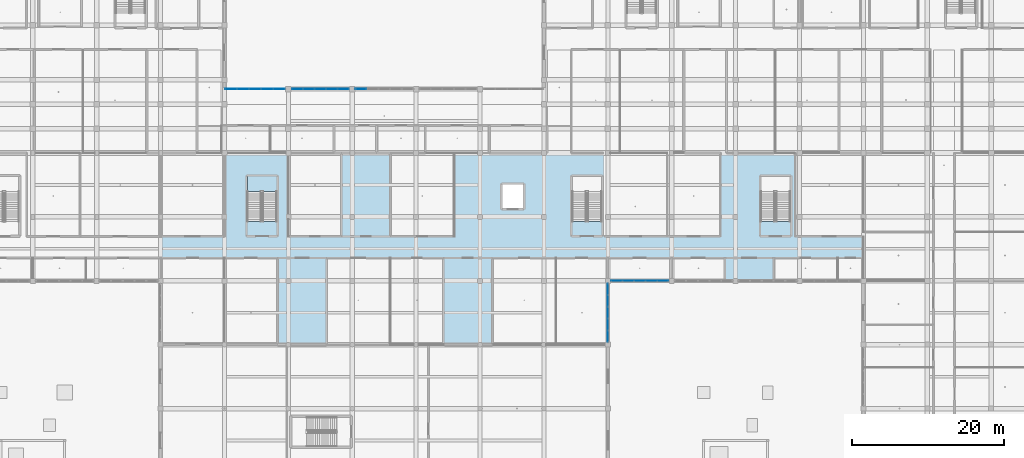
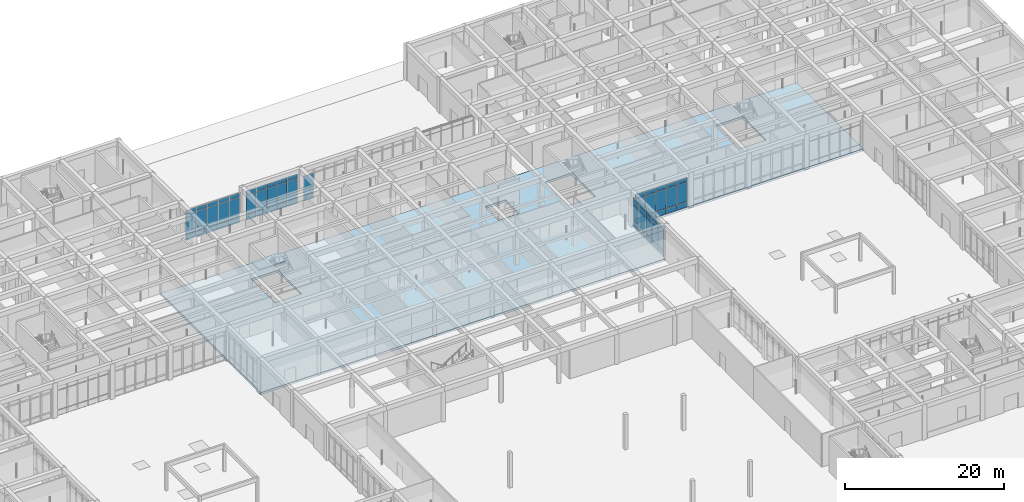
# One storey, part 53 of 167: 62 plates, 2 slabs, 6 elements without a shape of their own.
"""IFC4 building model written with IfcOpenShell, lengths in metres."""

from ifc_helpers import new_model, si_unit, direction, frame, origin, origin_2d, place, context, subcontext, project, spatial, polyline, rectangle, outline, extrude, material, layer, layer_set, type_object, element, aggregate, save


model = new_model("IFC4")

# Units and contexts
model_context = context("Model", 3, precision=1e-05, world=origin(), true_north=direction((0.0, 1.0)))
body_context = subcontext(model_context, "Body", "Model", "MODEL_VIEW")
ifc_project = project(units=[si_unit("LENGTHUNIT", "METRE"), si_unit("AREAUNIT", "SQUARE_METRE"), si_unit("VOLUMEUNIT", "CUBIC_METRE"), si_unit("PLANEANGLEUNIT", "RADIAN"), si_unit("MASSUNIT", "GRAM", prefix="KILO")], contexts=[model_context])

# Site, building, storey
site_placement = place(None, origin())
site = spatial("IfcSite", under=ifc_project, at=site_placement, CompositionType="ELEMENT")
building_placement = place(site_placement, origin())
building = spatial("IfcBuilding", under=site, at=building_placement, Name="Varncliffe General Hospital", CompositionType="ELEMENT")
storey_placement = place(building_placement, origin())
storey = spatial("IfcBuildingStorey", under=building, at=storey_placement, Name="L00", CompositionType="ELEMENT", Elevation=0.0)

# Curtain wall, plates
ifc_material_1 = material(Name="Triple low-E argon insulated vision glazing", Category="glass")
curtain_wall_type_1 = type_object("IfcCurtainWallType", Name="Unitised Glazed Curtain Wall CW51 (7704x4640)", PredefinedType="USERDEFINED", material=ifc_material_1)
curtain_wall_1_placement = place(storey_placement, origin())
curtain_wall_1 = element("IfcCurtainWall", 1, at=curtain_wall_1_placement, inside=storey, type_object=curtain_wall_type_1, Name="L00 Glazed Curtain Wall CW51-3", ObjectType="GLAZED CURTAIN WALL", PredefinedType="USERDEFINED")
ifc_layer_1 = layer(ifc_material_1, 0.0439453125)
ifc_layer_set_1 = layer_set([ifc_layer_1], Name="Triple low-E argon insulated vision glazing")
plate_type_1 = type_object("IfcPlateType", Name="Curtain Wall Glazing Panel CP12 (44mm)", PredefinedType="CURTAIN_PANEL", material=ifc_layer_set_1)
plate_1_placement = place(storey_placement, frame((85.13720703125, 108.0, 0.06494140625), z_axis=(0.0, 0.0, 1.0), x_axis=(1.0, 0.0, 0.0)))
plate_1 = element("IfcPlate", 2, at=plate_1_placement, type_object=plate_type_1, Name="CW51 panel 1.1", PredefinedType="CURTAIN_PANEL", context=body_context, shape_type="SweptSolid", body=[
    extrude(rectangle(XDim=1.42822265625, YDim=0.0439453125, at=origin_2d()), origin(), (0.0, 0.0, 1.0), 0.802490234375),
])
plate_2_placement = place(storey_placement, frame((85.13720703125, 108.0, 0.932373046875), z_axis=(0.0, 0.0, 1.0), x_axis=(1.0, 0.0, 0.0)))
plate_2 = element("IfcPlate", 3, at=plate_2_placement, type_object=plate_type_1, Name="CW51 panel 1.2", PredefinedType="CURTAIN_PANEL", context=body_context, shape_type="SweptSolid", body=[
    extrude(rectangle(XDim=1.42822265625, YDim=0.0439453125, at=origin_2d()), origin(), (0.0, 0.0, 1.0), 2.97509765625),
])
aggregate(curtain_wall_1, [plate_1, plate_2])

curtain_wall_type_2 = type_object("IfcCurtainWallType", Name="Unitised Glazed Curtain Wall CW26 (7594x4640)", PredefinedType="USERDEFINED", material=ifc_material_1)
curtain_wall_2_placement = place(storey_placement, origin())
curtain_wall_2 = element("IfcCurtainWall", 4, at=curtain_wall_2_placement, inside=storey, type_object=curtain_wall_type_2, Name="L00 Glazed Curtain Wall CW26-35", ObjectType="GLAZED CURTAIN WALL", PredefinedType="USERDEFINED")
plate_3_placement = place(storey_placement, frame((124.8212890625, 82.800048828125, 0.06005859375), z_axis=(0.0, 0.0, 1.0), x_axis=(-1.0, 0.0, 0.0)))
plate_3 = element("IfcPlate", 5, at=plate_3_placement, type_object=plate_type_1, Name="CW26 panel 1.1", PredefinedType="CURTAIN_PANEL", context=body_context, shape_type="SweptSolid", body=[
    extrude(rectangle(XDim=1.42138671875, YDim=0.0439453125, at=origin_2d()), origin(), (0.0, 0.0, 1.0), 0.81005859375),
])
plate_4_placement = place(storey_placement, frame((124.8212890625, 82.800048828125, 0.929931640625), z_axis=(0.0, 0.0, 1.0), x_axis=(-1.0, 0.0, 0.0)))
plate_4 = element("IfcPlate", 6, at=plate_4_placement, type_object=plate_type_1, Name="CW26 panel 1.2", PredefinedType="CURTAIN_PANEL", context=body_context, shape_type="SweptSolid", body=[
    extrude(rectangle(XDim=1.42138671875, YDim=0.0439453125, at=origin_2d()), origin(), (0.0, 0.0, 1.0), 2.97998046875),
])
plate_5_placement = place(storey_placement, frame((124.8212890625, 82.800048828125, 3.9697265625), z_axis=(0.0, 0.0, 1.0), x_axis=(-1.0, 0.0, 0.0)))
plate_5 = element("IfcPlate", 7, at=plate_5_placement, type_object=plate_type_1, Name="CW26 panel 1.3", PredefinedType="CURTAIN_PANEL", context=body_context, shape_type="SweptSolid", body=[
    extrude(rectangle(XDim=1.42138671875, YDim=0.0439453125, at=origin_2d()), origin(), (0.0, 0.0, 1.0), 0.610107421875),
])
plate_6_placement = place(storey_placement, frame((123.31884765625, 82.800048828125, 0.06005859375), z_axis=(0.0, 0.0, 1.0), x_axis=(-1.0, 0.0, 0.0)))
plate_6 = element("IfcPlate", 8, at=plate_6_placement, type_object=plate_type_1, Name="CW26 panel 2.1", PredefinedType="CURTAIN_PANEL", context=body_context, shape_type="SweptSolid", body=[
    extrude(rectangle(XDim=1.453857421875, YDim=0.0439453125, at=origin_2d()), origin(), (0.0, 0.0, 1.0), 0.81005859375),
])
plate_7_placement = place(storey_placement, frame((123.31884765625, 82.800048828125, 0.929931640625), z_axis=(0.0, 0.0, 1.0), x_axis=(-1.0, 0.0, 0.0)))
plate_7 = element("IfcPlate", 9, at=plate_7_placement, type_object=plate_type_1, Name="CW26 panel 2.2", PredefinedType="CURTAIN_PANEL", context=body_context, shape_type="SweptSolid", body=[
    extrude(rectangle(XDim=1.453857421875, YDim=0.0439453125, at=origin_2d()), origin(), (0.0, 0.0, 1.0), 2.97998046875),
])
plate_8_placement = place(storey_placement, frame((123.31884765625, 82.800048828125, 3.9697265625), z_axis=(0.0, 0.0, 1.0), x_axis=(-1.0, 0.0, 0.0)))
plate_8 = element("IfcPlate", 10, at=plate_8_placement, type_object=plate_type_1, Name="CW26 panel 2.3", PredefinedType="CURTAIN_PANEL", context=body_context, shape_type="SweptSolid", body=[
    extrude(rectangle(XDim=1.453857421875, YDim=0.0439453125, at=origin_2d()), origin(), (0.0, 0.0, 1.0), 0.610107421875),
])
plate_9_placement = place(storey_placement, frame((121.800048828125, 82.800048828125, 0.06005859375), z_axis=(0.0, 0.0, 1.0), x_axis=(-1.0, 0.0, 0.0)))
plate_9 = element("IfcPlate", 11, at=plate_9_placement, type_object=plate_type_1, Name="CW26 panel 3.1", PredefinedType="CURTAIN_PANEL", context=body_context, shape_type="SweptSolid", body=[
    extrude(rectangle(XDim=1.453857421875, YDim=0.0439453125, at=origin_2d()), origin(), (0.0, 0.0, 1.0), 0.81005859375),
])
plate_10_placement = place(storey_placement, frame((121.800048828125, 82.800048828125, 0.929931640625), z_axis=(0.0, 0.0, 1.0), x_axis=(-1.0, 0.0, 0.0)))
plate_10 = element("IfcPlate", 12, at=plate_10_placement, type_object=plate_type_1, Name="CW26 panel 3.2", PredefinedType="CURTAIN_PANEL", context=body_context, shape_type="SweptSolid", body=[
    extrude(rectangle(XDim=1.453857421875, YDim=0.0439453125, at=origin_2d()), origin(), (0.0, 0.0, 1.0), 2.97998046875),
])
plate_11_placement = place(storey_placement, frame((121.800048828125, 82.800048828125, 3.9697265625), z_axis=(0.0, 0.0, 1.0), x_axis=(-1.0, 0.0, 0.0)))
plate_11 = element("IfcPlate", 13, at=plate_11_placement, type_object=plate_type_1, Name="CW26 panel 3.3", PredefinedType="CURTAIN_PANEL", context=body_context, shape_type="SweptSolid", body=[
    extrude(rectangle(XDim=1.453857421875, YDim=0.0439453125, at=origin_2d()), origin(), (0.0, 0.0, 1.0), 0.610107421875),
])
plate_12_placement = place(storey_placement, frame((120.28125, 82.800048828125, 0.06005859375), z_axis=(0.0, 0.0, 1.0), x_axis=(-1.0, 0.0, 0.0)))
plate_12 = element("IfcPlate", 14, at=plate_12_placement, type_object=plate_type_1, Name="CW26 panel 4.1", PredefinedType="CURTAIN_PANEL", context=body_context, shape_type="SweptSolid", body=[
    extrude(rectangle(XDim=1.453857421875, YDim=0.0439453125, at=origin_2d()), origin(), (0.0, 0.0, 1.0), 0.81005859375),
])
plate_13_placement = place(storey_placement, frame((120.28125, 82.800048828125, 0.929931640625), z_axis=(0.0, 0.0, 1.0), x_axis=(-1.0, 0.0, 0.0)))
plate_13 = element("IfcPlate", 15, at=plate_13_placement, type_object=plate_type_1, Name="CW26 panel 4.2", PredefinedType="CURTAIN_PANEL", context=body_context, shape_type="SweptSolid", body=[
    extrude(rectangle(XDim=1.453857421875, YDim=0.0439453125, at=origin_2d()), origin(), (0.0, 0.0, 1.0), 2.97998046875),
])
plate_14_placement = place(storey_placement, frame((120.28125, 82.800048828125, 3.9697265625), z_axis=(0.0, 0.0, 1.0), x_axis=(-1.0, 0.0, 0.0)))
plate_14 = element("IfcPlate", 16, at=plate_14_placement, type_object=plate_type_1, Name="CW26 panel 4.3", PredefinedType="CURTAIN_PANEL", context=body_context, shape_type="SweptSolid", body=[
    extrude(rectangle(XDim=1.453857421875, YDim=0.0439453125, at=origin_2d()), origin(), (0.0, 0.0, 1.0), 0.610107421875),
])
plate_15_placement = place(storey_placement, frame((118.778564453125, 82.800048828125, 0.06005859375), z_axis=(0.0, 0.0, 1.0), x_axis=(-1.0, 0.0, 0.0)))
plate_15 = element("IfcPlate", 17, at=plate_15_placement, type_object=plate_type_1, Name="CW26 panel 5.1", PredefinedType="CURTAIN_PANEL", context=body_context, shape_type="SweptSolid", body=[
    extrude(rectangle(XDim=1.42138671875, YDim=0.0439453125, at=origin_2d()), origin(), (0.0, 0.0, 1.0), 0.81005859375),
])
plate_16_placement = place(storey_placement, frame((118.778564453125, 82.800048828125, 0.929931640625), z_axis=(0.0, 0.0, 1.0), x_axis=(-1.0, 0.0, 0.0)))
plate_16 = element("IfcPlate", 18, at=plate_16_placement, type_object=plate_type_1, Name="CW26 panel 5.2", PredefinedType="CURTAIN_PANEL", context=body_context, shape_type="SweptSolid", body=[
    extrude(rectangle(XDim=1.42138671875, YDim=0.0439453125, at=origin_2d()), origin(), (0.0, 0.0, 1.0), 2.97998046875),
])
plate_17_placement = place(storey_placement, frame((118.778564453125, 82.800048828125, 3.9697265625), z_axis=(0.0, 0.0, 1.0), x_axis=(-1.0, 0.0, 0.0)))
plate_17 = element("IfcPlate", 19, at=plate_17_placement, type_object=plate_type_1, Name="CW26 panel 5.3", PredefinedType="CURTAIN_PANEL", context=body_context, shape_type="SweptSolid", body=[
    extrude(rectangle(XDim=1.42138671875, YDim=0.0439453125, at=origin_2d()), origin(), (0.0, 0.0, 1.0), 0.610107421875),
])
aggregate(curtain_wall_2, [plate_3, plate_4, plate_5, plate_6, plate_7, plate_8, plate_9, plate_10, plate_11, plate_12, plate_13, plate_14, plate_15, plate_16, plate_17])

curtain_wall_type_3 = type_object("IfcCurtainWallType", Name="Unitised Glazed Curtain Wall CW47 (7544x4640)", PredefinedType="USERDEFINED", material=ifc_material_1)
curtain_wall_3_placement = place(storey_placement, origin())
curtain_wall_3 = element("IfcCurtainWall", 20, at=curtain_wall_3_placement, inside=storey, type_object=curtain_wall_type_3, Name="L00 Glazed Curtain Wall CW47-2", ObjectType="GLAZED CURTAIN WALL", PredefinedType="USERDEFINED")
ifc_layer_2 = layer(ifc_material_1, 0.035888671875)
ifc_layer_set_2 = layer_set([ifc_layer_2], Name="Triple low-E argon insulated vision glazing")
plate_type_2 = type_object("IfcPlateType", Name="Curtain Wall Glazing Panel CP27 (36mm)", PredefinedType="CURTAIN_PANEL", material=ifc_layer_set_2)
plate_18_placement = place(storey_placement, frame((76.798583984375, 108.0, 0.06005859375), z_axis=(0.0, 0.0, 1.0), x_axis=(1.0, 0.0, 0.0)))
plate_18 = element("IfcPlate", 21, at=plate_18_placement, type_object=plate_type_2, Name="CW47 panel 1.1", PredefinedType="CURTAIN_PANEL", context=body_context, shape_type="SweptSolid", body=[
    extrude(rectangle(XDim=1.411376953125, YDim=0.035888671875, at=origin_2d()), origin(), (0.0, 0.0, 1.0), 0.81005859375),
])
plate_19_placement = place(storey_placement, frame((76.798583984375, 108.0, 0.929931640625), z_axis=(0.0, 0.0, 1.0), x_axis=(1.0, 0.0, 0.0)))
plate_19 = element("IfcPlate", 22, at=plate_19_placement, type_object=plate_type_2, Name="CW47 panel 1.2", PredefinedType="CURTAIN_PANEL", context=body_context, shape_type="SweptSolid", body=[
    extrude(rectangle(XDim=1.411376953125, YDim=0.035888671875, at=origin_2d()), origin(), (0.0, 0.0, 1.0), 2.97998046875),
])
plate_20_placement = place(storey_placement, frame((76.798583984375, 108.0, 3.9697265625), z_axis=(0.0, 0.0, 1.0), x_axis=(1.0, 0.0, 0.0)))
plate_20 = element("IfcPlate", 23, at=plate_20_placement, type_object=plate_type_2, Name="CW47 panel 1.3", PredefinedType="CURTAIN_PANEL", context=body_context, shape_type="SweptSolid", body=[
    extrude(rectangle(XDim=1.411376953125, YDim=0.035888671875, at=origin_2d()), origin(), (0.0, 0.0, 1.0), 0.610107421875),
])
plate_21_placement = place(storey_placement, frame((78.291259765625, 108.0, 0.06005859375), z_axis=(0.0, 0.0, 1.0), x_axis=(1.0, 0.0, 0.0)))
plate_21 = element("IfcPlate", 24, at=plate_21_placement, type_object=plate_type_2, Name="CW47 panel 2.1", PredefinedType="CURTAIN_PANEL", context=body_context, shape_type="SweptSolid", body=[
    extrude(rectangle(XDim=1.44384765625, YDim=0.035888671875, at=origin_2d()), origin(), (0.0, 0.0, 1.0), 0.81005859375),
])
plate_22_placement = place(storey_placement, frame((78.291259765625, 108.0, 0.929931640625), z_axis=(0.0, 0.0, 1.0), x_axis=(1.0, 0.0, 0.0)))
plate_22 = element("IfcPlate", 25, at=plate_22_placement, type_object=plate_type_2, Name="CW47 panel 2.2", PredefinedType="CURTAIN_PANEL", context=body_context, shape_type="SweptSolid", body=[
    extrude(rectangle(XDim=1.44384765625, YDim=0.035888671875, at=origin_2d()), origin(), (0.0, 0.0, 1.0), 2.97998046875),
])
plate_23_placement = place(storey_placement, frame((78.291259765625, 108.0, 3.9697265625), z_axis=(0.0, 0.0, 1.0), x_axis=(1.0, 0.0, 0.0)))
plate_23 = element("IfcPlate", 26, at=plate_23_placement, type_object=plate_type_2, Name="CW47 panel 2.3", PredefinedType="CURTAIN_PANEL", context=body_context, shape_type="SweptSolid", body=[
    extrude(rectangle(XDim=1.44384765625, YDim=0.035888671875, at=origin_2d()), origin(), (0.0, 0.0, 1.0), 0.610107421875),
])
plate_24_placement = place(storey_placement, frame((79.800048828125, 108.0, 0.06005859375), z_axis=(0.0, 0.0, 1.0), x_axis=(1.0, 0.0, 0.0)))
plate_24 = element("IfcPlate", 27, at=plate_24_placement, type_object=plate_type_2, Name="CW47 panel 3.1", PredefinedType="CURTAIN_PANEL", context=body_context, shape_type="SweptSolid", body=[
    extrude(rectangle(XDim=1.44384765625, YDim=0.035888671875, at=origin_2d()), origin(), (0.0, 0.0, 1.0), 0.81005859375),
])
plate_25_placement = place(storey_placement, frame((79.800048828125, 108.0, 0.929931640625), z_axis=(0.0, 0.0, 1.0), x_axis=(1.0, 0.0, 0.0)))
plate_25 = element("IfcPlate", 28, at=plate_25_placement, type_object=plate_type_2, Name="CW47 panel 3.2", PredefinedType="CURTAIN_PANEL", context=body_context, shape_type="SweptSolid", body=[
    extrude(rectangle(XDim=1.44384765625, YDim=0.035888671875, at=origin_2d()), origin(), (0.0, 0.0, 1.0), 2.97998046875),
])
plate_26_placement = place(storey_placement, frame((79.800048828125, 108.0, 3.9697265625), z_axis=(0.0, 0.0, 1.0), x_axis=(1.0, 0.0, 0.0)))
plate_26 = element("IfcPlate", 29, at=plate_26_placement, type_object=plate_type_2, Name="CW47 panel 3.3", PredefinedType="CURTAIN_PANEL", context=body_context, shape_type="SweptSolid", body=[
    extrude(rectangle(XDim=1.44384765625, YDim=0.035888671875, at=origin_2d()), origin(), (0.0, 0.0, 1.0), 0.610107421875),
])
plate_27_placement = place(storey_placement, frame((81.308837890625, 108.0, 0.06005859375), z_axis=(0.0, 0.0, 1.0), x_axis=(1.0, 0.0, 0.0)))
plate_27 = element("IfcPlate", 30, at=plate_27_placement, type_object=plate_type_2, Name="CW47 panel 4.1", PredefinedType="CURTAIN_PANEL", context=body_context, shape_type="SweptSolid", body=[
    extrude(rectangle(XDim=1.44384765625, YDim=0.035888671875, at=origin_2d()), origin(), (0.0, 0.0, 1.0), 0.81005859375),
])
plate_28_placement = place(storey_placement, frame((81.308837890625, 108.0, 0.929931640625), z_axis=(0.0, 0.0, 1.0), x_axis=(1.0, 0.0, 0.0)))
plate_28 = element("IfcPlate", 31, at=plate_28_placement, type_object=plate_type_2, Name="CW47 panel 4.2", PredefinedType="CURTAIN_PANEL", context=body_context, shape_type="SweptSolid", body=[
    extrude(rectangle(XDim=1.44384765625, YDim=0.035888671875, at=origin_2d()), origin(), (0.0, 0.0, 1.0), 2.97998046875),
])
plate_29_placement = place(storey_placement, frame((81.308837890625, 108.0, 3.9697265625), z_axis=(0.0, 0.0, 1.0), x_axis=(1.0, 0.0, 0.0)))
plate_29 = element("IfcPlate", 32, at=plate_29_placement, type_object=plate_type_2, Name="CW47 panel 4.3", PredefinedType="CURTAIN_PANEL", context=body_context, shape_type="SweptSolid", body=[
    extrude(rectangle(XDim=1.44384765625, YDim=0.035888671875, at=origin_2d()), origin(), (0.0, 0.0, 1.0), 0.610107421875),
])
plate_30_placement = place(storey_placement, frame((82.80126953125, 108.0, 0.06005859375), z_axis=(0.0, 0.0, 1.0), x_axis=(1.0, 0.0, 0.0)))
plate_30 = element("IfcPlate", 33, at=plate_30_placement, type_object=plate_type_2, Name="CW47 panel 5.1", PredefinedType="CURTAIN_PANEL", context=body_context, shape_type="SweptSolid", body=[
    extrude(rectangle(XDim=1.411376953125, YDim=0.035888671875, at=origin_2d()), origin(), (0.0, 0.0, 1.0), 0.81005859375),
])
plate_31_placement = place(storey_placement, frame((82.80126953125, 108.0, 0.929931640625), z_axis=(0.0, 0.0, 1.0), x_axis=(1.0, 0.0, 0.0)))
plate_31 = element("IfcPlate", 34, at=plate_31_placement, type_object=plate_type_2, Name="CW47 panel 5.2", PredefinedType="CURTAIN_PANEL", context=body_context, shape_type="SweptSolid", body=[
    extrude(rectangle(XDim=1.411376953125, YDim=0.035888671875, at=origin_2d()), origin(), (0.0, 0.0, 1.0), 2.97998046875),
])
plate_32_placement = place(storey_placement, frame((82.80126953125, 108.0, 3.9697265625), z_axis=(0.0, 0.0, 1.0), x_axis=(1.0, 0.0, 0.0)))
plate_32 = element("IfcPlate", 35, at=plate_32_placement, type_object=plate_type_2, Name="CW47 panel 5.3", PredefinedType="CURTAIN_PANEL", context=body_context, shape_type="SweptSolid", body=[
    extrude(rectangle(XDim=1.411376953125, YDim=0.035888671875, at=origin_2d()), origin(), (0.0, 0.0, 1.0), 0.610107421875),
])
aggregate(curtain_wall_3, [plate_18, plate_19, plate_20, plate_21, plate_22, plate_23, plate_24, plate_25, plate_26, plate_27, plate_28, plate_29, plate_30, plate_31, plate_32])

curtain_wall_type_4 = type_object("IfcCurtainWallType", Name="Unitised Glazed Curtain Wall CW48 (7972x4640)", PredefinedType="USERDEFINED", material=ifc_material_1)
curtain_wall_4_placement = place(storey_placement, origin())
curtain_wall_4 = element("IfcCurtainWall", 36, at=curtain_wall_4_placement, inside=storey, type_object=curtain_wall_type_4, Name="L00 Glazed Curtain Wall CW48-1", ObjectType="GLAZED CURTAIN WALL", PredefinedType="USERDEFINED")
ifc_layer_3 = layer(ifc_material_1, 0.028076171875)
ifc_layer_set_3 = layer_set([ifc_layer_3], Name="Triple low-E argon insulated vision glazing")
plate_type_3 = type_object("IfcPlateType", Name="Curtain Wall Glazing Panel CP48 (28mm)", PredefinedType="CURTAIN_PANEL", material=ifc_layer_set_3)
plate_33_placement = place(storey_placement, frame((68.055908203125, 108.0, 0.06005859375), z_axis=(0.0, 0.0, 1.0), x_axis=(1.0, 0.0, 0.0)))
plate_33 = element("IfcPlate", 37, at=plate_33_placement, type_object=plate_type_3, Name="CW48 panel 1.1", PredefinedType="CURTAIN_PANEL", context=body_context, shape_type="SweptSolid", body=[
    extrude(rectangle(XDim=1.48193359375, YDim=0.028076171875, at=origin_2d()), origin(), (0.0, 0.0, 1.0), 0.81005859375),
])
plate_34_placement = place(storey_placement, frame((68.055908203125, 108.0, 0.929931640625), z_axis=(0.0, 0.0, 1.0), x_axis=(1.0, 0.0, 0.0)))
plate_34 = element("IfcPlate", 38, at=plate_34_placement, type_object=plate_type_3, Name="CW48 panel 1.2", PredefinedType="CURTAIN_PANEL", context=body_context, shape_type="SweptSolid", body=[
    extrude(rectangle(XDim=1.48193359375, YDim=0.028076171875, at=origin_2d()), origin(), (0.0, 0.0, 1.0), 2.97998046875),
])
plate_35_placement = place(storey_placement, frame((68.055908203125, 108.0, 3.9697265625), z_axis=(0.0, 0.0, 1.0), x_axis=(1.0, 0.0, 0.0)))
plate_35 = element("IfcPlate", 39, at=plate_35_placement, type_object=plate_type_3, Name="CW48 panel 1.3", PredefinedType="CURTAIN_PANEL", context=body_context, shape_type="SweptSolid", body=[
    extrude(rectangle(XDim=1.48193359375, YDim=0.028076171875, at=origin_2d()), origin(), (0.0, 0.0, 1.0), 0.610107421875),
])
plate_36_placement = place(storey_placement, frame((69.631591796875, 108.0, 0.06005859375), z_axis=(0.0, 0.0, 1.0), x_axis=(1.0, 0.0, 0.0)))
plate_36 = element("IfcPlate", 40, at=plate_36_placement, type_object=plate_type_3, Name="CW48 panel 2.1", PredefinedType="CURTAIN_PANEL", context=body_context, shape_type="SweptSolid", body=[
    extrude(rectangle(XDim=1.519287109375, YDim=0.028076171875, at=origin_2d()), origin(), (0.0, 0.0, 1.0), 0.81005859375),
])
plate_37_placement = place(storey_placement, frame((69.631591796875, 108.0, 0.929931640625), z_axis=(0.0, 0.0, 1.0), x_axis=(1.0, 0.0, 0.0)))
plate_37 = element("IfcPlate", 41, at=plate_37_placement, type_object=plate_type_3, Name="CW48 panel 2.2", PredefinedType="CURTAIN_PANEL", context=body_context, shape_type="SweptSolid", body=[
    extrude(rectangle(XDim=1.519287109375, YDim=0.028076171875, at=origin_2d()), origin(), (0.0, 0.0, 1.0), 2.97998046875),
])
plate_38_placement = place(storey_placement, frame((69.631591796875, 108.0, 3.9697265625), z_axis=(0.0, 0.0, 1.0), x_axis=(1.0, 0.0, 0.0)))
plate_38 = element("IfcPlate", 42, at=plate_38_placement, type_object=plate_type_3, Name="CW48 panel 2.3", PredefinedType="CURTAIN_PANEL", context=body_context, shape_type="SweptSolid", body=[
    extrude(rectangle(XDim=1.519287109375, YDim=0.028076171875, at=origin_2d()), origin(), (0.0, 0.0, 1.0), 0.610107421875),
])
plate_39_placement = place(storey_placement, frame((71.22607421875, 108.0, 0.06005859375), z_axis=(0.0, 0.0, 1.0), x_axis=(1.0, 0.0, 0.0)))
plate_39 = element("IfcPlate", 43, at=plate_39_placement, type_object=plate_type_3, Name="CW48 panel 3.1", PredefinedType="CURTAIN_PANEL", context=body_context, shape_type="SweptSolid", body=[
    extrude(rectangle(XDim=1.519287109375, YDim=0.028076171875, at=origin_2d()), origin(), (0.0, 0.0, 1.0), 0.81005859375),
])
plate_40_placement = place(storey_placement, frame((71.22607421875, 108.0, 0.929931640625), z_axis=(0.0, 0.0, 1.0), x_axis=(1.0, 0.0, 0.0)))
plate_40 = element("IfcPlate", 44, at=plate_40_placement, type_object=plate_type_3, Name="CW48 panel 3.2", PredefinedType="CURTAIN_PANEL", context=body_context, shape_type="SweptSolid", body=[
    extrude(rectangle(XDim=1.519287109375, YDim=0.028076171875, at=origin_2d()), origin(), (0.0, 0.0, 1.0), 2.97998046875),
])
plate_41_placement = place(storey_placement, frame((71.22607421875, 108.0, 3.9697265625), z_axis=(0.0, 0.0, 1.0), x_axis=(1.0, 0.0, 0.0)))
plate_41 = element("IfcPlate", 45, at=plate_41_placement, type_object=plate_type_3, Name="CW48 panel 3.3", PredefinedType="CURTAIN_PANEL", context=body_context, shape_type="SweptSolid", body=[
    extrude(rectangle(XDim=1.519287109375, YDim=0.028076171875, at=origin_2d()), origin(), (0.0, 0.0, 1.0), 0.610107421875),
])
plate_42_placement = place(storey_placement, frame((72.8203125, 108.0, 0.06005859375), z_axis=(0.0, 0.0, 1.0), x_axis=(1.0, 0.0, 0.0)))
plate_42 = element("IfcPlate", 46, at=plate_42_placement, type_object=plate_type_3, Name="CW48 panel 4.1", PredefinedType="CURTAIN_PANEL", context=body_context, shape_type="SweptSolid", body=[
    extrude(rectangle(XDim=1.519287109375, YDim=0.028076171875, at=origin_2d()), origin(), (0.0, 0.0, 1.0), 0.81005859375),
])
plate_43_placement = place(storey_placement, frame((72.8203125, 108.0, 0.929931640625), z_axis=(0.0, 0.0, 1.0), x_axis=(1.0, 0.0, 0.0)))
plate_43 = element("IfcPlate", 47, at=plate_43_placement, type_object=plate_type_3, Name="CW48 panel 4.2", PredefinedType="CURTAIN_PANEL", context=body_context, shape_type="SweptSolid", body=[
    extrude(rectangle(XDim=1.519287109375, YDim=0.028076171875, at=origin_2d()), origin(), (0.0, 0.0, 1.0), 2.97998046875),
])
plate_44_placement = place(storey_placement, frame((72.8203125, 108.0, 3.9697265625), z_axis=(0.0, 0.0, 1.0), x_axis=(1.0, 0.0, 0.0)))
plate_44 = element("IfcPlate", 48, at=plate_44_placement, type_object=plate_type_3, Name="CW48 panel 4.3", PredefinedType="CURTAIN_PANEL", context=body_context, shape_type="SweptSolid", body=[
    extrude(rectangle(XDim=1.519287109375, YDim=0.028076171875, at=origin_2d()), origin(), (0.0, 0.0, 1.0), 0.610107421875),
])
plate_45_placement = place(storey_placement, frame((74.39599609375, 108.0, 0.06005859375), z_axis=(0.0, 0.0, 1.0), x_axis=(1.0, 0.0, 0.0)))
plate_45 = element("IfcPlate", 49, at=plate_45_placement, type_object=plate_type_3, Name="CW48 panel 5.1", PredefinedType="CURTAIN_PANEL", context=body_context, shape_type="SweptSolid", body=[
    extrude(rectangle(XDim=1.48193359375, YDim=0.028076171875, at=origin_2d()), origin(), (0.0, 0.0, 1.0), 0.81005859375),
])
plate_46_placement = place(storey_placement, frame((74.39599609375, 108.0, 0.929931640625), z_axis=(0.0, 0.0, 1.0), x_axis=(1.0, 0.0, 0.0)))
plate_46 = element("IfcPlate", 50, at=plate_46_placement, type_object=plate_type_3, Name="CW48 panel 5.2", PredefinedType="CURTAIN_PANEL", context=body_context, shape_type="SweptSolid", body=[
    extrude(rectangle(XDim=1.48193359375, YDim=0.028076171875, at=origin_2d()), origin(), (0.0, 0.0, 1.0), 2.97998046875),
])
plate_47_placement = place(storey_placement, frame((74.39599609375, 108.0, 3.9697265625), z_axis=(0.0, 0.0, 1.0), x_axis=(1.0, 0.0, 0.0)))
plate_47 = element("IfcPlate", 51, at=plate_47_placement, type_object=plate_type_3, Name="CW48 panel 5.3", PredefinedType="CURTAIN_PANEL", context=body_context, shape_type="SweptSolid", body=[
    extrude(rectangle(XDim=1.48193359375, YDim=0.028076171875, at=origin_2d()), origin(), (0.0, 0.0, 1.0), 0.610107421875),
])
aggregate(curtain_wall_4, [plate_33, plate_34, plate_35, plate_36, plate_37, plate_38, plate_39, plate_40, plate_41, plate_42, plate_43, plate_44, plate_45, plate_46, plate_47])

curtain_wall_type_5 = type_object("IfcCurtainWallType", Name="Unitised Glazed Curtain Wall CW66 (7754x4640)", PredefinedType="USERDEFINED", material=ifc_material_1)
curtain_wall_5_placement = place(storey_placement, origin())
curtain_wall_5 = element("IfcCurtainWall", 52, at=curtain_wall_5_placement, inside=storey, type_object=curtain_wall_type_5, Name="L00 Glazed Curtain Wall CW66-36", ObjectType="GLAZED CURTAIN WALL", PredefinedType="USERDEFINED")
plate_48_placement = place(storey_placement, frame((117.60009765625, 81.682861328125, 0.06494140625), z_axis=(0.0, 0.0, 1.0), x_axis=(0.0, -1.0, 0.0)))
plate_48 = element("IfcPlate", 53, at=plate_48_placement, type_object=plate_type_3, Name="CW66 panel 1.1", PredefinedType="CURTAIN_PANEL", context=body_context, shape_type="SweptSolid", body=[
    extrude(rectangle(XDim=1.438232421875, YDim=0.028076171875, at=origin_2d()), origin(), (0.0, 0.0, 1.0), 0.802490234375),
])
plate_49_placement = place(storey_placement, frame((117.60009765625, 81.682861328125, 0.932373046875), z_axis=(0.0, 0.0, 1.0), x_axis=(0.0, -1.0, 0.0)))
plate_49 = element("IfcPlate", 54, at=plate_49_placement, type_object=plate_type_3, Name="CW66 panel 1.2", PredefinedType="CURTAIN_PANEL", context=body_context, shape_type="SweptSolid", body=[
    extrude(rectangle(XDim=1.438232421875, YDim=0.028076171875, at=origin_2d()), origin(), (0.0, 0.0, 1.0), 2.97509765625),
])
plate_50_placement = place(storey_placement, frame((117.60009765625, 81.682861328125, 3.972412109375), z_axis=(0.0, 0.0, 1.0), x_axis=(0.0, -1.0, 0.0)))
plate_50 = element("IfcPlate", 55, at=plate_50_placement, type_object=plate_type_3, Name="CW66 panel 1.3", PredefinedType="CURTAIN_PANEL", context=body_context, shape_type="SweptSolid", body=[
    extrude(rectangle(XDim=1.438232421875, YDim=0.028076171875, at=origin_2d()), origin(), (0.0, 0.0, 1.0), 0.6025390625),
])
plate_51_placement = place(storey_placement, frame((117.60009765625, 80.15087890625, 0.06494140625), z_axis=(0.0, 0.0, 1.0), x_axis=(0.0, -1.0, 0.0)))
plate_51 = element("IfcPlate", 56, at=plate_51_placement, type_object=plate_type_3, Name="CW66 panel 2.1", PredefinedType="CURTAIN_PANEL", context=body_context, shape_type="SweptSolid", body=[
    extrude(rectangle(XDim=1.475830078125, YDim=0.028076171875, at=origin_2d()), origin(), (0.0, 0.0, 1.0), 0.802490234375),
])
plate_52_placement = place(storey_placement, frame((117.60009765625, 80.15087890625, 0.932373046875), z_axis=(0.0, 0.0, 1.0), x_axis=(0.0, -1.0, 0.0)))
plate_52 = element("IfcPlate", 57, at=plate_52_placement, type_object=plate_type_3, Name="CW66 panel 2.2", PredefinedType="CURTAIN_PANEL", context=body_context, shape_type="SweptSolid", body=[
    extrude(rectangle(XDim=1.475830078125, YDim=0.028076171875, at=origin_2d()), origin(), (0.0, 0.0, 1.0), 2.97509765625),
])
plate_53_placement = place(storey_placement, frame((117.60009765625, 80.15087890625, 3.972412109375), z_axis=(0.0, 0.0, 1.0), x_axis=(0.0, -1.0, 0.0)))
plate_53 = element("IfcPlate", 58, at=plate_53_placement, type_object=plate_type_3, Name="CW66 panel 2.3", PredefinedType="CURTAIN_PANEL", context=body_context, shape_type="SweptSolid", body=[
    extrude(rectangle(XDim=1.475830078125, YDim=0.028076171875, at=origin_2d()), origin(), (0.0, 0.0, 1.0), 0.6025390625),
])
plate_54_placement = place(storey_placement, frame((117.60009765625, 78.60009765625, 0.06494140625), z_axis=(0.0, 0.0, 1.0), x_axis=(0.0, -1.0, 0.0)))
plate_54 = element("IfcPlate", 59, at=plate_54_placement, type_object=plate_type_3, Name="CW66 panel 3.1", PredefinedType="CURTAIN_PANEL", context=body_context, shape_type="SweptSolid", body=[
    extrude(rectangle(XDim=1.475830078125, YDim=0.028076171875, at=origin_2d()), origin(), (0.0, 0.0, 1.0), 0.802490234375),
])
plate_55_placement = place(storey_placement, frame((117.60009765625, 78.60009765625, 0.932373046875), z_axis=(0.0, 0.0, 1.0), x_axis=(0.0, -1.0, 0.0)))
plate_55 = element("IfcPlate", 60, at=plate_55_placement, type_object=plate_type_3, Name="CW66 panel 3.2", PredefinedType="CURTAIN_PANEL", context=body_context, shape_type="SweptSolid", body=[
    extrude(rectangle(XDim=1.475830078125, YDim=0.028076171875, at=origin_2d()), origin(), (0.0, 0.0, 1.0), 2.97509765625),
])
plate_56_placement = place(storey_placement, frame((117.60009765625, 78.60009765625, 3.972412109375), z_axis=(0.0, 0.0, 1.0), x_axis=(0.0, -1.0, 0.0)))
plate_56 = element("IfcPlate", 61, at=plate_56_placement, type_object=plate_type_3, Name="CW66 panel 3.3", PredefinedType="CURTAIN_PANEL", context=body_context, shape_type="SweptSolid", body=[
    extrude(rectangle(XDim=1.475830078125, YDim=0.028076171875, at=origin_2d()), origin(), (0.0, 0.0, 1.0), 0.6025390625),
])
plate_57_placement = place(storey_placement, frame((117.60009765625, 77.04931640625, 0.06494140625), z_axis=(0.0, 0.0, 1.0), x_axis=(0.0, -1.0, 0.0)))
plate_57 = element("IfcPlate", 62, at=plate_57_placement, type_object=plate_type_3, Name="CW66 panel 4.1", PredefinedType="CURTAIN_PANEL", context=body_context, shape_type="SweptSolid", body=[
    extrude(rectangle(XDim=1.475830078125, YDim=0.028076171875, at=origin_2d()), origin(), (0.0, 0.0, 1.0), 0.802490234375),
])
plate_58_placement = place(storey_placement, frame((117.60009765625, 77.04931640625, 0.932373046875), z_axis=(0.0, 0.0, 1.0), x_axis=(0.0, -1.0, 0.0)))
plate_58 = element("IfcPlate", 63, at=plate_58_placement, type_object=plate_type_3, Name="CW66 panel 4.2", PredefinedType="CURTAIN_PANEL", context=body_context, shape_type="SweptSolid", body=[
    extrude(rectangle(XDim=1.475830078125, YDim=0.028076171875, at=origin_2d()), origin(), (0.0, 0.0, 1.0), 2.97509765625),
])
plate_59_placement = place(storey_placement, frame((117.60009765625, 77.04931640625, 3.972412109375), z_axis=(0.0, 0.0, 1.0), x_axis=(0.0, -1.0, 0.0)))
plate_59 = element("IfcPlate", 64, at=plate_59_placement, type_object=plate_type_3, Name="CW66 panel 4.3", PredefinedType="CURTAIN_PANEL", context=body_context, shape_type="SweptSolid", body=[
    extrude(rectangle(XDim=1.475830078125, YDim=0.028076171875, at=origin_2d()), origin(), (0.0, 0.0, 1.0), 0.6025390625),
])
plate_60_placement = place(storey_placement, frame((117.60009765625, 75.51708984375, 0.06494140625), z_axis=(0.0, 0.0, 1.0), x_axis=(0.0, -1.0, 0.0)))
plate_60 = element("IfcPlate", 65, at=plate_60_placement, type_object=plate_type_3, Name="CW66 panel 5.1", PredefinedType="CURTAIN_PANEL", context=body_context, shape_type="SweptSolid", body=[
    extrude(rectangle(XDim=1.438232421875, YDim=0.028076171875, at=origin_2d()), origin(), (0.0, 0.0, 1.0), 0.802490234375),
])
plate_61_placement = place(storey_placement, frame((117.60009765625, 75.51708984375, 0.932373046875), z_axis=(0.0, 0.0, 1.0), x_axis=(0.0, -1.0, 0.0)))
plate_61 = element("IfcPlate", 66, at=plate_61_placement, type_object=plate_type_3, Name="CW66 panel 5.2", PredefinedType="CURTAIN_PANEL", context=body_context, shape_type="SweptSolid", body=[
    extrude(rectangle(XDim=1.438232421875, YDim=0.028076171875, at=origin_2d()), origin(), (0.0, 0.0, 1.0), 2.97509765625),
])
plate_62_placement = place(storey_placement, frame((117.60009765625, 75.51708984375, 3.972412109375), z_axis=(0.0, 0.0, 1.0), x_axis=(0.0, -1.0, 0.0)))
plate_62 = element("IfcPlate", 67, at=plate_62_placement, type_object=plate_type_3, Name="CW66 panel 5.3", PredefinedType="CURTAIN_PANEL", context=body_context, shape_type="SweptSolid", body=[
    extrude(rectangle(XDim=1.438232421875, YDim=0.028076171875, at=origin_2d()), origin(), (0.0, 0.0, 1.0), 0.6025390625),
])
aggregate(curtain_wall_5, [plate_48, plate_49, plate_50, plate_51, plate_52, plate_53, plate_54, plate_55, plate_56, plate_57, plate_58, plate_59, plate_60, plate_61, plate_62])

# Slab
ifc_material_2 = material(Name="Concrete C35/45 (CSA A23.1 35 MPa)", Category="concrete")
ifc_layer_4 = layer(ifc_material_2, 0.340087890625)
ifc_layer_set_4 = layer_set([ifc_layer_4], Name="Concrete C35/45 (CSA A23.1 35 MPa)")
slab_type_1 = type_object("IfcSlabType", Name="Floor Slab SL29 (Int 340mm)", PredefinedType="FLOOR", material=ifc_layer_set_4)
slab_1_placement = place(storey_placement, frame((0.0, 0.0, -0.340087890625)))
element("IfcSlab", 68, at=slab_1_placement, inside=storey, type_object=slab_type_1, Name="L00 V4 Structural Floor Slab 1", PredefinedType="FLOOR", context=body_context, shape_type="SweptSolid", body=[
    extrude(outline(polyline([(117.60009765625, 74.39990234375), (58.800048828125, 74.39990234375), (58.800048828125, 99.60009765625), (117.60009765625, 99.60009765625), (151.199951171875, 99.60009765625), (151.199951171875, 82.800048828125), (117.60009765625, 82.800048828125), (117.60009765625, 74.39990234375)]), holes=[polyline([(116.800048828125, 90.60009765625), (116.800048828125, 96.550048828125), (112.89990234375, 96.550048828125), (112.89990234375, 90.60009765625), (116.800048828125, 90.60009765625)]), polyline([(74.10009765625, 90.60009765625), (74.10009765625, 96.550048828125), (70.199951171875, 96.550048828125), (70.199951171875, 90.60009765625), (74.10009765625, 90.60009765625)]), polyline([(141.60009765625, 90.60009765625), (141.60009765625, 96.550048828125), (137.699951171875, 96.550048828125), (137.699951171875, 90.60009765625), (141.60009765625, 90.60009765625)]), polyline([(103.60009765625, 92.199951171875), (106.60009765625, 92.199951171875), (106.60009765625, 95.60009765625), (103.60009765625, 95.60009765625), (103.60009765625, 92.199951171875)])]), origin(), (0.0, 0.0, 1.0), 0.340087890625),
])

# Stair, slab
stair_type = type_object("IfcStairType", Name="Hospital Stair Assembly ST-T02 (1850w-5400h)", PredefinedType="TWO_STRAIGHT_RUN_STAIR", material=ifc_material_2)
stair_placement = place(storey_placement, origin())
stair = element("IfcStair", 69, at=stair_placement, inside=storey, type_object=stair_type, Name="L00 Surgical West Exit Stair 12", PredefinedType="TWO_STRAIGHT_RUN_STAIR")
ifc_layer_5 = layer(ifc_material_2, 0.199951171875)
ifc_layer_set_5 = layer_set([ifc_layer_5], Name="Concrete C35/45 (CSA A23.1 35 MPa)")
slab_type_2 = type_object("IfcSlabType", Name="Reinforced Concrete Stair Landing LND50 (200mm)", PredefinedType="LANDING", material=ifc_layer_set_5)
slab_2_placement = place(storey_placement, frame((0.0, 0.0, 2.5)))
slab_2 = element("IfcSlab", 70, at=slab_2_placement, type_object=slab_type_2, Name="ST12 landing 1", PredefinedType="LANDING", context=body_context, shape_type="SweptSolid", body=[
    extrude(outline(polyline([(74.10009765625, 94.52001953125), (74.10009765625, 96.550048828125), (70.199951171875, 96.550048828125), (70.199951171875, 94.52001953125), (74.10009765625, 94.52001953125)])), origin(), (0.0, 0.0, 1.0), 0.199951171875),
])
aggregate(stair, [slab_2])

save(model, "model.ifc")
